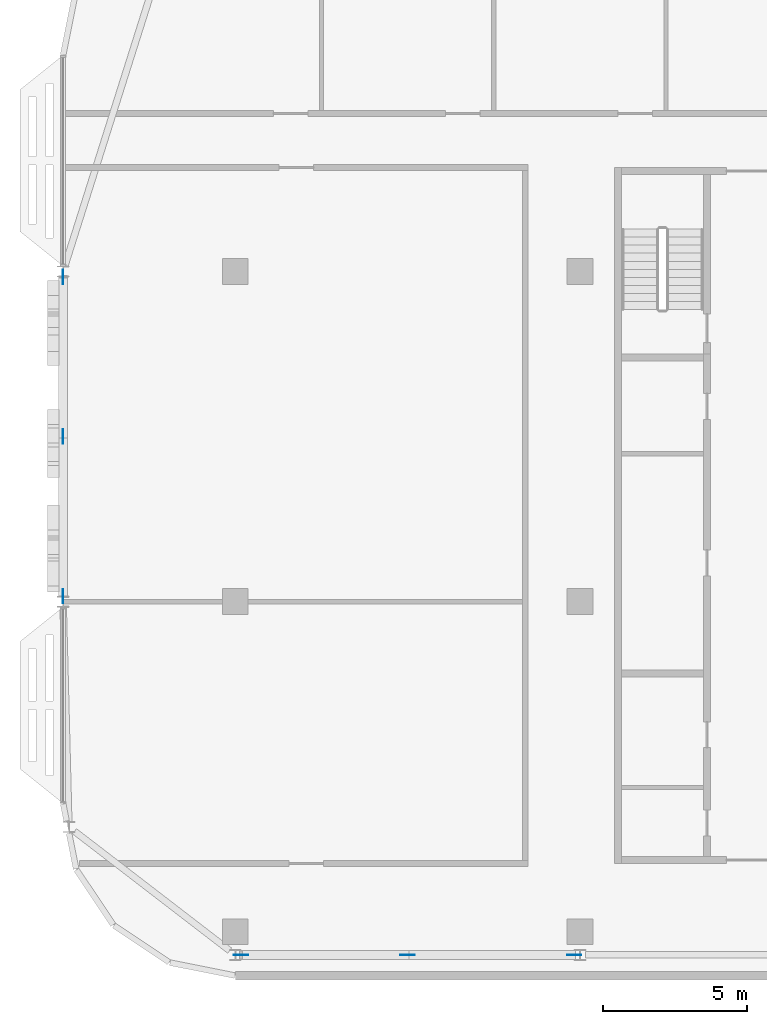
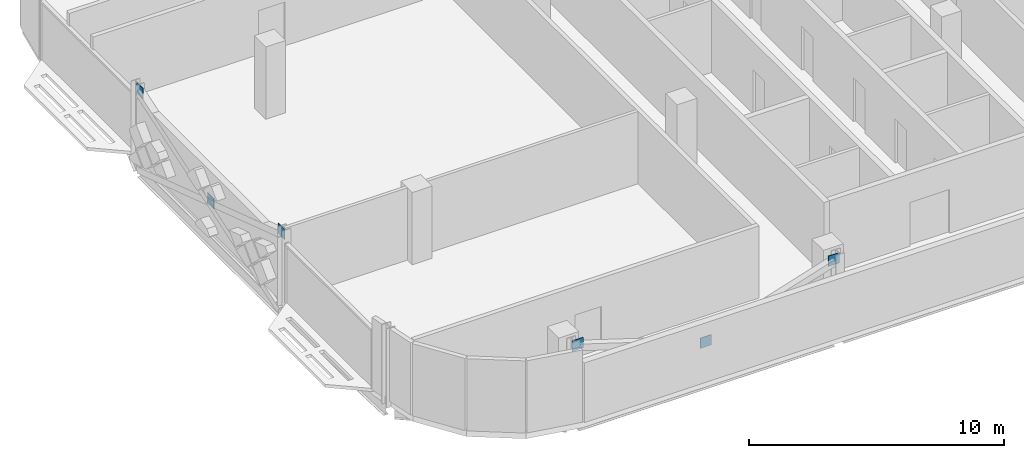
# One storey, part 21 of 29: 6 discrete accessories.
"""IFC4 building model written with IfcOpenShell, lengths in metres."""

from ifc_helpers import new_model, si_unit, direction, frame, origin, origin_2d, place, context, subcontext, project, spatial, rectangle, extrude, material, layer, layer_set, type_object, element, save


model = new_model("IFC4")

# Units and contexts
model_context = context("Model", 3, precision=1e-05, world=origin(), true_north=direction((0.0, 1.0)))
body_context = subcontext(model_context, "Body", "Model", "MODEL_VIEW")
ifc_project = project(units=[si_unit("LENGTHUNIT", "METRE"), si_unit("AREAUNIT", "SQUARE_METRE"), si_unit("VOLUMEUNIT", "CUBIC_METRE"), si_unit("PLANEANGLEUNIT", "RADIAN"), si_unit("MASSUNIT", "GRAM", prefix="KILO")], contexts=[model_context])

# Site, building, storey
site_placement = place(None, origin())
site = spatial("IfcSite", under=ifc_project, at=site_placement, CompositionType="ELEMENT")
building_placement = place(site_placement, origin())
building = spatial("IfcBuilding", under=site, at=building_placement, Name="Mahtab Terrace Research Tower", CompositionType="ELEMENT")
storey_placement = place(building_placement, frame((0.0, 0.0, 274.699951171875)))
storey = spatial("IfcBuildingStorey", under=building, at=storey_placement, Name="L67", CompositionType="ELEMENT", Elevation=274.699951171875)

# Discrete accessories
ifc_material = material(Name="Steel ASTM A992 Gr 50", Category="steel")
ifc_layer = layer(ifc_material, 0.030029296875)
ifc_layer_set = layer_set([ifc_layer], Name="Gusset plate 500x500x30")
discrete_accessory_type = type_object("IfcDiscreteAccessoryType", Name="Gusset plate 500x500x30", PredefinedType="USERDEFINED", material=ifc_layer_set)
for number, where, z_axis, x_axis, name in (
    (1, (-41.80322265625, -12.306884765625, 2.906494140625), (0.0, 0.0, 1.0), (1.0, 0.0, 0.0), "Gusset plate"),
    (2, (-36.0, -12.306884765625, 1.006591796875), (0.0, 0.0, 1.0), (1.0, 0.0, 0.0), "Gusset plate"),
    (3, (-30.197021484375, -12.306884765625, 2.906494140625), (0.0, 0.0, 1.0), (1.0, 0.0, 0.0), "Gusset plate"),
    (4, (-48.0, 0.18798828125, 2.906494140625), (0.0, 0.0, 1.0), (0.0, 1.0, 0.0), "Gusset plate"),
    (5, (-48.0, 5.75, 1.006591796875), (0.0, 0.0, 1.0), (0.0, 1.0, 0.0), "Gusset plate"),
    (6, (-48.0, 11.31201171875, 2.906494140625), (0.0, 0.0, 1.0), (0.0, 1.0, 0.0), "Gusset plate"),
):
    element("IfcDiscreteAccessory", number, at=place(storey_placement, frame(where, z_axis=z_axis, x_axis=x_axis)), inside=storey, type_object=discrete_accessory_type, Name=name, ObjectType="GUSSET PLATE", PredefinedType="USERDEFINED", context=body_context, shape_type="SweptSolid", body=[
        extrude(rectangle(XDim=0.5, YDim=0.030029296875, at=origin_2d()), origin(), (0.0, 0.0, 1.0), 0.5),
    ])

save(model, "model.ifc")
